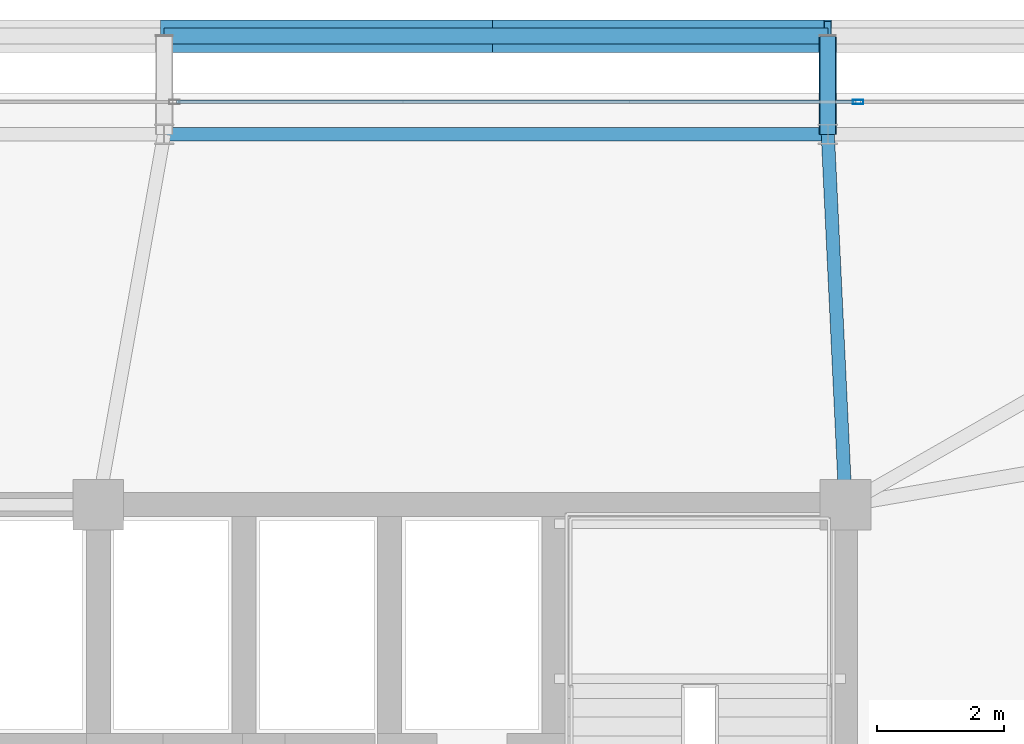
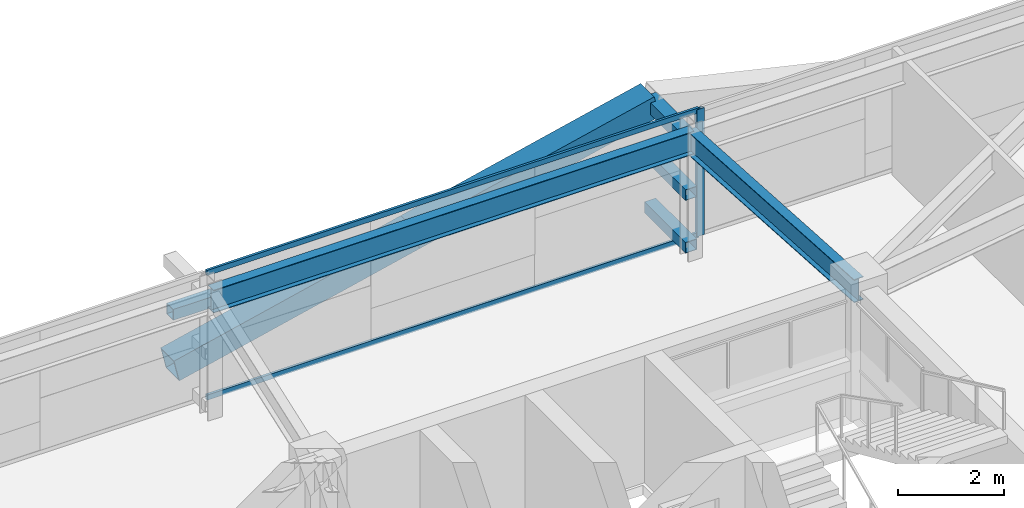
# One storey, part 26 of 44: 9 members, 2 beams, 1 element without a shape of its own.
"""IFC4 building model written with IfcOpenShell, lengths in metres."""

from ifc_helpers import new_model, si_unit, direction, frame, origin, origin_2d, place, context, subcontext, project, spatial, hollow_rectangle, i_section, extrude, source, transform, mapped, material, layer, layer_set, material_profile, profile_set, type_object, element, aggregate, save


model = new_model("IFC4")

# Units and contexts
model_context = context("Model", 3, precision=1e-05, world=origin(), true_north=direction((0.0, 1.0)))
body_context = subcontext(model_context, "Body", "Model", "MODEL_VIEW")
ifc_project = project(units=[si_unit("LENGTHUNIT", "METRE"), si_unit("AREAUNIT", "SQUARE_METRE"), si_unit("VOLUMEUNIT", "CUBIC_METRE"), si_unit("PLANEANGLEUNIT", "RADIAN"), si_unit("MASSUNIT", "GRAM", prefix="KILO")], contexts=[model_context])

# Site, building, storey
site_placement = place(None, origin())
site = spatial("IfcSite", under=ifc_project, at=site_placement, CompositionType="ELEMENT")
building_placement = place(site_placement, origin())
building = spatial("IfcBuilding", under=site, at=building_placement, Name="Taldren Reach Tower", CompositionType="ELEMENT")
storey_placement = place(building_placement, frame((0.0, 0.0, 38.85009765625)))
storey = spatial("IfcBuildingStorey", under=building, at=storey_placement, Name="L11", CompositionType="ELEMENT", Elevation=38.85009765625)

# Beams
ifc_material_1 = material(Name="Steel Gr 350 (350PLUS)", Category="steel")
ifc_material_profile_1 = material_profile(ifc_material_1, i_section(OverallWidth=0.208984375, OverallDepth=0.528076171875, WebThickness=0.009521484375, FlangeThickness=0.01318359375, at=origin_2d()), Name="530UB82.0")
ifc_profile_set_1 = profile_set([ifc_material_profile_1], Name="Steel Gr 350 (350PLUS)")
beam_type_1 = type_object("IfcBeamType", Name="SP-UB530B", PredefinedType="SPANDREL", material=ifc_profile_set_1)
shared_shape_1 = source(origin(), body_context, "Body", "SweptSolid", [
    extrude(i_section(OverallWidth=0.208984375, OverallDepth=0.528076171875, WebThickness=0.009521484375, FlangeThickness=0.01318359375, at=origin_2d()), origin(), (0.0, 0.0, 1.0), 10.47998046875),
])
beam_1_placement = place(storey_placement, frame((50.719970703125, 37.85009765625, 2.666015625), z_axis=(-1.0, 0.0, 0.0), x_axis=(0.0, -1.0, 0.0)))
element("IfcBeam", 1, at=beam_1_placement, inside=storey, type_object=beam_type_1, Name="Perimeter spandrel B1 N5-N4 L11", PredefinedType="SPANDREL", context=body_context, shape_type="MappedRepresentation", body=[
    mapped(shared_shape_1, transform((0.0, 0.0, 0.0), scale=1.0)),
])
ifc_material_profile_2 = material_profile(ifc_material_1, i_section(OverallWidth=0.208984375, OverallDepth=0.532958984375, WebThickness=0.01025390625, FlangeThickness=0.015625, at=origin_2d()), Name="530UB92.4")
ifc_profile_set_2 = profile_set([ifc_material_profile_2], Name="Steel Gr 350 (350PLUS)")
beam_type_2 = type_object("IfcBeamType", Name="BM-UB530A", PredefinedType="BEAM", material=ifc_profile_set_2)
shared_shape_2 = source(origin(), body_context, "Body", "SweptSolid", [
    extrude(i_section(OverallWidth=0.208984375, OverallDepth=0.532958984375, WebThickness=0.01025390625, FlangeThickness=0.015625, at=origin_2d()), origin(), (0.0, 0.0, 1.0), 5.856689453125),
])
beam_2_placement = place(storey_placement, frame((51.0, 32.0, 2.663330078125), z_axis=(-0.047812711672, 0.998856318297, 0.0), x_axis=(-0.998856318297, -0.047812711672, 0.0)))
element("IfcBeam", 2, at=beam_2_placement, inside=storey, type_object=beam_type_2, Name="Primary floor girder B1-N5 L11", PredefinedType="BEAM", context=body_context, shape_type="MappedRepresentation", body=[
    mapped(shared_shape_2, transform((0.0, 0.0, 0.0), scale=1.0)),
])

# Members
ifc_material_2 = material(Name="Steel Gr 450 (C450L0)", Category="steel")
ifc_material_profile_3 = material_profile(ifc_material_2, hollow_rectangle(XDim=0.27490234375, YDim=0.27490234375, WallThickness=0.00927734375, at=origin_2d()), Name="275x275x9.3SHS")
ifc_profile_set_3 = profile_set([ifc_material_profile_3], Name="Steel Gr 450 (C450L0)")
member_type_1 = type_object("IfcMemberType", Name="MB-TIE273", PredefinedType="STRUT", material=ifc_profile_set_3)
shared_shape_3 = source(origin(), body_context, "Body", "SweptSolid", [
    extrude(hollow_rectangle(XDim=0.27490234375, YDim=0.27490234375, WallThickness=0.00927734375, at=origin_2d()), origin(), (0.0, 0.0, 1.0), 1.5498046875),
])
member_1_placement = place(storey_placement, frame((50.719970703125, 37.85009765625, 2.64990234375), z_axis=(0.0, 1.0, 0.0), x_axis=(-1.0, 0.0, 0.0)))
element("IfcMember", 3, at=member_1_placement, inside=storey, type_object=member_type_1, Name="Exoskeleton diaphragm tie strut B1-N5 L11", PredefinedType="STRUT", context=body_context, shape_type="MappedRepresentation", body=[
    mapped(shared_shape_3, transform((0.0, 0.0, 0.0), scale=1.0)),
])
ifc_material_profile_4 = material_profile(ifc_material_2, hollow_rectangle(XDim=0.510009765625, YDim=0.510009765625, WallThickness=0.02001953125, at=origin_2d()), Name="510x510x20.0SHS")
ifc_profile_set_4 = profile_set([ifc_material_profile_4], Name="Steel Gr 450 (C450L0)")
member_type_2 = type_object("IfcMemberType", Name="MB-EXO508", PredefinedType="BRACE", material=ifc_profile_set_4)
shared_shape_4 = source(origin(), body_context, "Body", "SweptSolid", [
    extrude(hollow_rectangle(XDim=0.510009765625, YDim=0.510009765625, WallThickness=0.02001953125, at=origin_2d()), origin(), (0.0, 0.0, 1.0), 5.37890625),
])
for number, where, z_axis, x_axis, name in (
    (4, (40.239990234375, 39.39990234375, 0.219970703125), (0.974161966843, 0.0, 0.225850531007), (0.0, 1.0, 0.0), "Exoskeleton Diagrid Brace B1-N4 L11"),
    (5, (45.47998046875, 39.39990234375, 1.434814453125), (0.97415197996, 0.0, 0.225893603143), (0.0, 1.0, 0.0), "Exoskeleton Diagrid Brace B1-N4 L11"),
):
    element("IfcMember", number, at=place(storey_placement, frame(where, z_axis=z_axis, x_axis=x_axis)), inside=storey, type_object=member_type_2, Name=name, PredefinedType="BRACE", context=body_context, shape_type="MappedRepresentation", body=[
        mapped(shared_shape_4, transform((0.0, 0.0, 0.0), scale=1.0)),
    ])
ifc_material_3 = material(Name="Steel Gr 350 (C350L0)", Category="steel")
ifc_material_profile_5 = material_profile(ifc_material_3, hollow_rectangle(XDim=0.25, YDim=0.25, WallThickness=0.010009765625, at=origin_2d()), Name="250x250x10.0SHS")
ifc_profile_set_5 = profile_set([ifc_material_profile_5], Name="Steel Gr 350 (C350L0)")
member_type_3 = type_object("IfcMemberType", Name="MB-POST250", PredefinedType="POST", material=ifc_profile_set_5)
shared_shape_5 = source(origin(), body_context, "Body", "SweptSolid", [
    extrude(hollow_rectangle(XDim=0.25, YDim=0.25, WallThickness=0.010009765625, at=origin_2d()), origin(), (0.0, 0.0, 1.0), 10.47998046875),
])
member_2_placement = place(storey_placement, frame((40.239990234375, 39.39990234375, 1.434814453125), z_axis=(1.0, 0.0, 0.0), x_axis=(0.0, 1.0, 0.0)))
element("IfcMember", 6, at=member_2_placement, inside=storey, type_object=member_type_3, Name="Exoskeleton mid-height ring chord B1-N4 L11", PredefinedType="POST", context=body_context, shape_type="MappedRepresentation", body=[
    mapped(shared_shape_5, transform((0.0, 0.0, 0.0), scale=1.0)),
])
shared_shape_6 = source(origin(), body_context, "Body", "SweptSolid", [
    extrude(hollow_rectangle(XDim=0.25, YDim=0.25, WallThickness=0.010009765625, at=origin_2d()), origin(), (0.0, 0.0, 1.0), 1.5498046875),
])
for number, where, z_axis, x_axis, name in (
    (7, (50.719970703125, 37.85009765625, 0.219970703125), (0.0, 1.0, 0.0), (-1.0, 0.0, 0.0), "Exoskeleton base diaphragm tie strut B1-N5 L11"),
    (8, (50.719970703125, 37.85009765625, 1.434814453125), (0.0, 1.0, 0.0), (-1.0, 0.0, 0.0), "Exoskeleton mid-tier diaphragm tie B1-N5 L11"),
):
    element("IfcMember", number, at=place(storey_placement, frame(where, z_axis=z_axis, x_axis=x_axis)), inside=storey, type_object=member_type_3, Name=name, PredefinedType="POST", context=body_context, shape_type="MappedRepresentation", body=[
        mapped(shared_shape_6, transform((0.0, 0.0, 0.0), scale=1.0)),
    ])

# Curtain wall, members
ifc_material_4 = material(Name="Aluminium and Low-E Glass Unitised System", Category="aluminium")
ifc_layer = layer(ifc_material_4, 0.159912109375)
ifc_layer_set = layer_set([ifc_layer], Name="Aluminium and Low-E Glass Unitised System")
curtain_wall_type = type_object("IfcCurtainWallType", Name="CW-SYS-2", PredefinedType="NOTDEFINED", material=ifc_layer_set)
curtain_wall_placement = place(storey_placement, origin())
curtain_wall = element("IfcCurtainWall", 9, at=curtain_wall_placement, inside=storey, type_object=curtain_wall_type, Name="Unitised curtain wall CW-L11-N", PredefinedType="NOTDEFINED")
ifc_material_5 = material(Name="Anodised Aluminium 6063-T6", Category="aluminium")
ifc_material_profile_6 = material_profile(ifc_material_5, hollow_rectangle(XDim=0.06494140625, YDim=0.1650390625, WallThickness=0.00390625, at=origin_2d()), Name="ALU-165x65x4RHS")
ifc_profile_set_6 = profile_set([ifc_material_profile_6], Name="Anodised Aluminium 6063-T6")
member_type_4 = type_object("IfcMemberType", Name="CW-MUL-165", PredefinedType="MULLION", material=ifc_profile_set_6)
shared_shape_7 = source(origin(), body_context, "Body", "SweptSolid", [
    extrude(hollow_rectangle(XDim=0.06494140625, YDim=0.1650390625, WallThickness=0.00390625, at=origin_2d()), origin(), (0.0, 0.0, 1.0), 2.929931640625),
])
member_3_placement = place(storey_placement, frame((51.199951171875, 38.360107421875, 0.0), z_axis=(0.0, 0.0, 1.0), x_axis=(0.0, -1.0, 0.0)))
member_3 = element("IfcMember", 10, at=member_3_placement, type_object=member_type_4, Name="CW-2 mullion 2", PredefinedType="MULLION", context=body_context, shape_type="MappedRepresentation", body=[
    mapped(shared_shape_7, transform((0.0, 0.0, 0.0), scale=1.0)),
])
ifc_material_profile_7 = material_profile(ifc_material_5, hollow_rectangle(XDim=0.054931640625, YDim=0.1201171875, WallThickness=0.0029296875, at=origin_2d()), Name="ALU-120x55x3RHS")
ifc_profile_set_7 = profile_set([ifc_material_profile_7], Name="Anodised Aluminium 6063-T6")
member_type_5 = type_object("IfcMemberType", Name="CW-TRN-135", PredefinedType="USERDEFINED", material=ifc_profile_set_7)
shared_shape_8 = source(origin(), body_context, "Body", "SweptSolid", [
    extrude(hollow_rectangle(XDim=0.054931640625, YDim=0.1201171875, WallThickness=0.0029296875, at=origin_2d()), origin(), (0.0, 0.0, 1.0), 10.73486328125),
])
member_4_placement = place(storey_placement, frame((51.16748046875, 38.360107421875, 0.02734375), z_axis=(-1.0, 0.0, 0.0), x_axis=(0.0, -1.0, 0.0)))
member_4 = element("IfcMember", 11, at=member_4_placement, type_object=member_type_5, Name="CW-2 transom 2.1", ObjectType="TRANSOM", PredefinedType="USERDEFINED", context=body_context, shape_type="MappedRepresentation", body=[
    mapped(shared_shape_8, transform((0.0, 0.0, 0.0), scale=1.0)),
])
member_5_placement = place(storey_placement, frame((51.16748046875, 38.360107421875, 2.90234375), z_axis=(-1.0, 0.0, 0.0), x_axis=(0.0, -1.0, 0.0)))
member_5 = element("IfcMember", 12, at=member_5_placement, type_object=member_type_5, Name="CW-2 transom 2.2", ObjectType="TRANSOM", PredefinedType="USERDEFINED", context=body_context, shape_type="MappedRepresentation", body=[
    mapped(shared_shape_8, transform((0.0, 0.0, 0.0), scale=1.0)),
])
aggregate(curtain_wall, [member_3, member_4, member_5])

save(model, "model.ifc")
